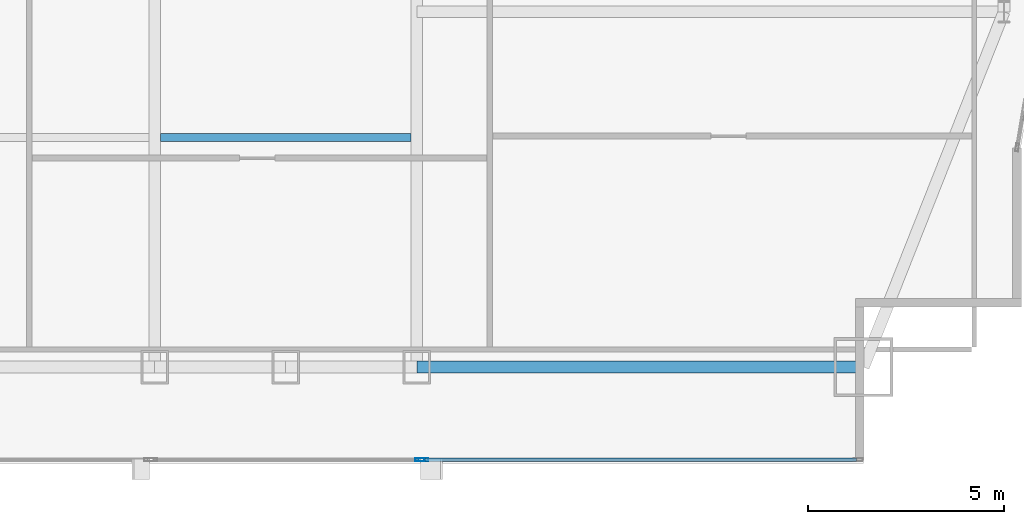
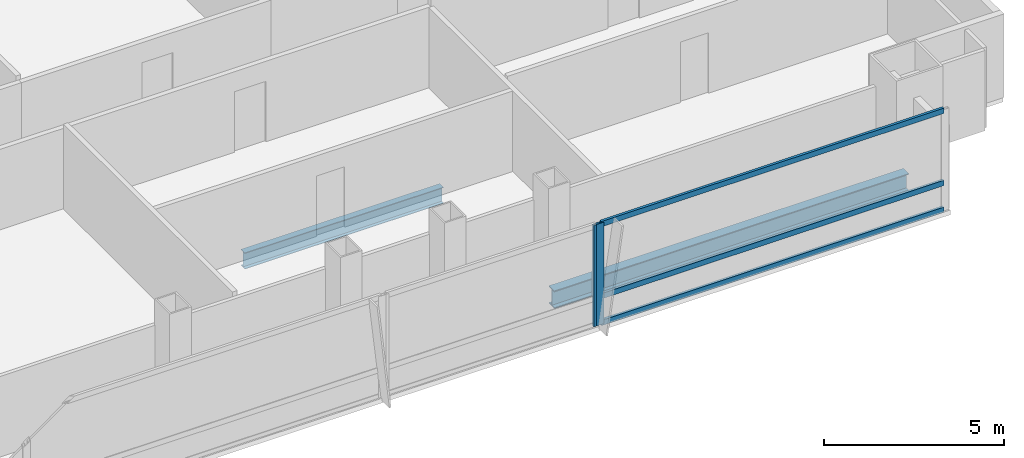
# One storey, part 15 of 31: 5 members, 2 beams, 2 elements without a shape of their own.
"""IFC4 building model written with IfcOpenShell, lengths in metres."""

from ifc_helpers import new_model, si_unit, direction, frame, origin, origin_2d, place, context, subcontext, project, spatial, hollow_rectangle, i_section, extrude, material, material_profile, profile_set, type_object, element, aggregate, save


model = new_model("IFC4")

# Units and contexts
model_context = context("Model", 3, precision=1e-05, world=origin(), true_north=direction((0.0, 1.0)))
body_context = subcontext(model_context, "Body", "Model", "MODEL_VIEW")
ifc_project = project(units=[si_unit("LENGTHUNIT", "METRE"), si_unit("AREAUNIT", "SQUARE_METRE"), si_unit("VOLUMEUNIT", "CUBIC_METRE"), si_unit("PLANEANGLEUNIT", "RADIAN"), si_unit("MASSUNIT", "GRAM", prefix="KILO")], contexts=[model_context])

# Site, building, storey
site_placement = place(None, origin())
site = spatial("IfcSite", under=ifc_project, at=site_placement, CompositionType="ELEMENT")
building_placement = place(site_placement, origin())
building = spatial("IfcBuilding", under=site, at=building_placement, Name="Khoronbel Lancet Exchange", CompositionType="ELEMENT")
storey_placement = place(building_placement, frame((0.0, 0.0, 121.800048828125)))
storey = spatial("IfcBuildingStorey", under=building, at=storey_placement, Name="L29", CompositionType="ELEMENT", Elevation=121.800048828125)

# Beams
ifc_material_1 = material(Name="Steel S355", Category="steel")
ifc_material_profile_1 = material_profile(ifc_material_1, i_section(OverallWidth=0.2099609375, OverallDepth=0.550048828125, WebThickness=0.010986328125, FlangeThickness=0.01708984375, at=origin_2d()), Name="IPE 550")
ifc_profile_set_1 = profile_set([ifc_material_profile_1], Name="Steel S355")
beam_type_1 = type_object("IfcBeamType", Name="BM-BJ2", PredefinedType="JOIST", material=ifc_profile_set_1)
beam_1_placement = place(storey_placement, frame((48.14990234375, 16.0, -0.43505859375), z_axis=(1.0, 0.0, 0.0), x_axis=(0.0, 1.0, 0.0)))
element("IfcBeam", 1, at=beam_1_placement, inside=storey, type_object=beam_type_1, Name="Level L29 secondary composite joist J05", PredefinedType="JOIST", context=body_context, shape_type="SweptSolid", body=[
    extrude(i_section(OverallWidth=0.2099609375, OverallDepth=0.550048828125, WebThickness=0.010986328125, FlangeThickness=0.01708984375, at=origin_2d()), origin(), (0.0, 0.0, 1.0), 6.375),
])
ifc_material_profile_2 = material_profile(ifc_material_1, i_section(OverallWidth=0.300048828125, OverallDepth=0.60009765625, WebThickness=0.015380859375, FlangeThickness=0.030029296875, at=origin_2d()), Name="HEB 600")
ifc_profile_set_2 = profile_set([ifc_material_profile_2], Name="Steel S355")
beam_type_2 = type_object("IfcBeamType", Name="BM-BSP2", PredefinedType="SPANDREL", material=ifc_profile_set_2)
beam_2_placement = place(storey_placement, frame((54.675048828125, 10.14990234375, -0.4599609375), z_axis=(1.0, 0.0, 0.0), x_axis=(0.0, 1.0, 0.0)))
element("IfcBeam", 2, at=beam_2_placement, inside=storey, type_object=beam_type_2, Name="Level L29 perimeter spandrel beam SP09", PredefinedType="SPANDREL", context=body_context, shape_type="SweptSolid", body=[
    extrude(i_section(OverallWidth=0.300048828125, OverallDepth=0.60009765625, WebThickness=0.015380859375, FlangeThickness=0.030029296875, at=origin_2d()), origin(), (0.0, 0.0, 1.0), 11.375),
])

# Curtain wall, member
ifc_material_2 = material(Name="Low-E Solar Control Insulating Glass", Category="glass")
curtain_wall_type = type_object("IfcCurtainWallType", Name="CW-2", PredefinedType="NOTDEFINED", material=ifc_material_2)
curtain_wall_1_placement = place(storey_placement, origin())
curtain_wall_1 = element("IfcCurtainWall", 3, at=curtain_wall_1_placement, inside=storey, type_object=curtain_wall_type, Name="Unitised curtain wall CW-L29-SEB", PredefinedType="NOTDEFINED")
ifc_material_3 = material(Name="Bronze-Anodised Aluminium 6063-T6", Category="aluminium")
ifc_material_profile_3 = material_profile(ifc_material_3, hollow_rectangle(XDim=0.0849609375, YDim=0.239990234375, WallThickness=0.006103515625, at=origin_2d()), Name="ALU MULLION 85x240")
ifc_profile_set_3 = profile_set([ifc_material_profile_3], Name="Bronze-Anodised Aluminium 6063-T6")
member_type_1 = type_object("IfcMemberType", Name="MEM-CWM1", PredefinedType="MULLION", material=ifc_profile_set_3)
member_1_placement = place(storey_placement, frame((54.757568359375, 7.7900390625, 0.0), z_axis=(0.0, 0.0, 1.0), x_axis=(0.0, 1.0, 0.0)))
member_1 = element("IfcMember", 4, at=member_1_placement, type_object=member_type_1, Name="CW2 mullion 2", PredefinedType="MULLION", context=body_context, shape_type="SweptSolid", body=[
    extrude(hollow_rectangle(XDim=0.0849609375, YDim=0.239990234375, WallThickness=0.006103515625, at=origin_2d()), origin(), (0.0, 0.0, 1.0), 3.43994140625),
])
aggregate(curtain_wall_1, [member_1])

# Curtain wall, members
curtain_wall_2_placement = place(storey_placement, origin())
curtain_wall_2 = element("IfcCurtainWall", 5, at=curtain_wall_2_placement, inside=storey, type_object=curtain_wall_type, Name="Unitised curtain wall CW-L29-SEV", PredefinedType="NOTDEFINED")
member_2_placement = place(storey_placement, frame((54.842529296875, 7.7900390625, 0.0), z_axis=(0.0, 0.0, 1.0), x_axis=(0.0, 1.0, 0.0)))
member_2 = element("IfcMember", 6, at=member_2_placement, type_object=member_type_1, Name="CW2 mullion 1", PredefinedType="MULLION", context=body_context, shape_type="SweptSolid", body=[
    extrude(hollow_rectangle(XDim=0.0849609375, YDim=0.239990234375, WallThickness=0.006103515625, at=origin_2d()), origin(), (0.0, 0.0, 1.0), 3.43994140625),
])
ifc_material_profile_4 = material_profile(ifc_material_3, hollow_rectangle(XDim=0.0849609375, YDim=0.179931640625, WallThickness=0.0048828125, at=origin_2d()), Name="ALU TRANSOM 85x180")
ifc_profile_set_4 = profile_set([ifc_material_profile_4], Name="Bronze-Anodised Aluminium 6063-T6")
member_type_2 = type_object("IfcMemberType", Name="MEM-CWT1", PredefinedType="USERDEFINED", material=ifc_profile_set_4)
member_3_placement = place(storey_placement, frame((54.885009765625, 7.7900390625, 0.04248046875), z_axis=(1.0, 0.0, 0.0), x_axis=(0.0, 1.0, 0.0)))
member_3 = element("IfcMember", 7, at=member_3_placement, type_object=member_type_2, Name="CW2 transom 1.1", ObjectType="TRANSOM", PredefinedType="USERDEFINED", context=body_context, shape_type="SweptSolid", body=[
    extrude(hollow_rectangle(XDim=0.0849609375, YDim=0.179931640625, WallThickness=0.0048828125, at=origin_2d()), origin(), (0.0, 0.0, 1.0), 10.989990234375),
])
member_4_placement = place(storey_placement, frame((54.885009765625, 7.7900390625, 0.949951171875), z_axis=(1.0, 0.0, 0.0), x_axis=(0.0, 1.0, 0.0)))
member_4 = element("IfcMember", 8, at=member_4_placement, type_object=member_type_2, Name="CW2 transom 1.2", ObjectType="TRANSOM", PredefinedType="USERDEFINED", context=body_context, shape_type="SweptSolid", body=[
    extrude(hollow_rectangle(XDim=0.0849609375, YDim=0.179931640625, WallThickness=0.0048828125, at=origin_2d()), origin(), (0.0, 0.0, 1.0), 10.989990234375),
])
member_5_placement = place(storey_placement, frame((54.885009765625, 7.7900390625, 3.3974609375), z_axis=(1.0, 0.0, 0.0), x_axis=(0.0, 1.0, 0.0)))
member_5 = element("IfcMember", 9, at=member_5_placement, type_object=member_type_2, Name="CW2 transom 1.3", ObjectType="TRANSOM", PredefinedType="USERDEFINED", context=body_context, shape_type="SweptSolid", body=[
    extrude(hollow_rectangle(XDim=0.0849609375, YDim=0.179931640625, WallThickness=0.0048828125, at=origin_2d()), origin(), (0.0, 0.0, 1.0), 10.989990234375),
])
aggregate(curtain_wall_2, [member_2, member_3, member_4, member_5])

save(model, "model.ifc")
